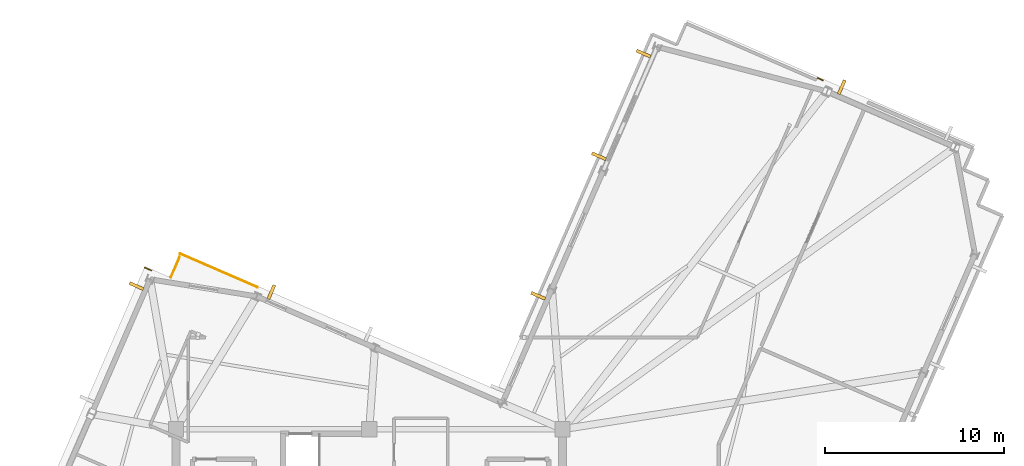
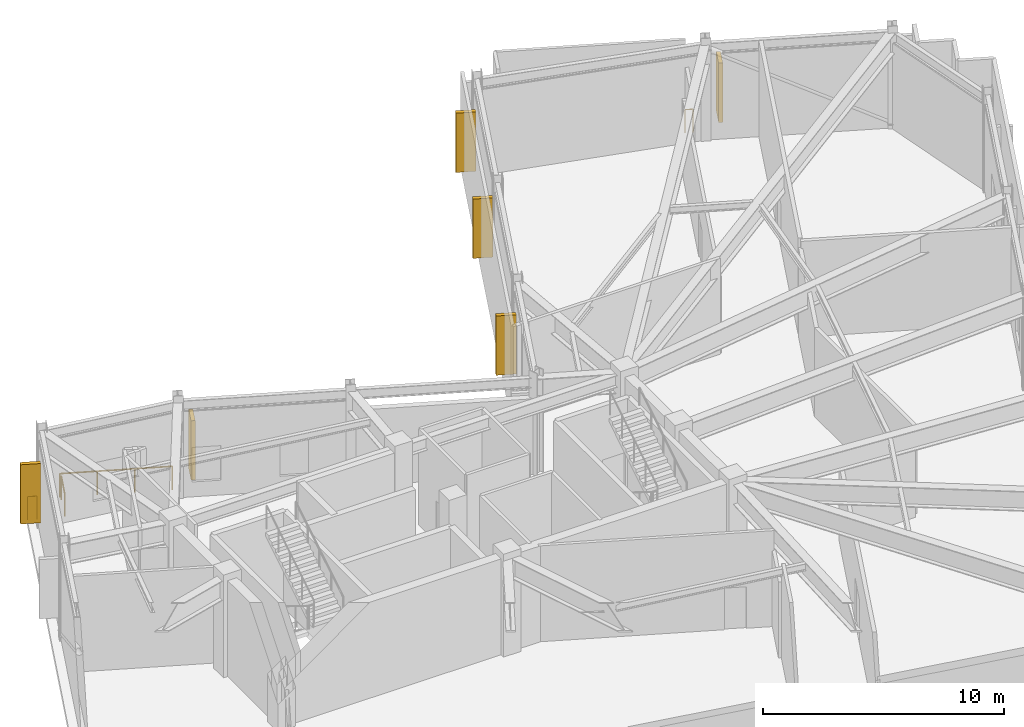
# One storey, part 11 of 12: 6 shading devices, 4 railings.
"""IFC4 building model written with IfcOpenShell, lengths in metres."""

from ifc_helpers import new_model, si_unit, direction, frame, origin, origin_2d, place, context, subcontext, project, spatial, rectangle, circle, extrude, material, layer, layer_set, type_object, element, save


model = new_model("IFC4")

# Units and contexts
model_context = context("Model", 3, precision=1e-05, world=origin(), true_north=direction((0.0, 1.0)))
body_context = subcontext(model_context, "Body", "Model", "MODEL_VIEW")
ifc_project = project(units=[si_unit("LENGTHUNIT", "METRE"), si_unit("AREAUNIT", "SQUARE_METRE"), si_unit("VOLUMEUNIT", "CUBIC_METRE"), si_unit("PLANEANGLEUNIT", "RADIAN"), si_unit("MASSUNIT", "GRAM", prefix="KILO")], contexts=[model_context])

# Site, building, storey
site_placement = place(None, origin())
site = spatial("IfcSite", under=ifc_project, at=site_placement, CompositionType="ELEMENT")
building_placement = place(site_placement, origin())
building = spatial("IfcBuilding", under=site, at=building_placement, Name="Gaonmaruhae Medical Tower", CompositionType="ELEMENT")
storey_placement = place(building_placement, frame((0.0, 0.0, 342.60009765625)))
storey = spatial("IfcBuildingStorey", under=building, at=storey_placement, Name="L82", CompositionType="ELEMENT", Elevation=342.60009765625)

# Railings
ifc_material_1 = material(Name="Stainless steel 316L and laminated safety glass", Category="steel")
ifc_layer = layer(ifc_material_1, 0.080078125)
ifc_layer_set = layer_set([ifc_layer], Name="Stainless steel 316L and laminated safety glass")
railing_type = type_object("IfcRailingType", Name="GD-120 Outdoor Terrace Safety Glass & Steel Balustrade", PredefinedType="BALUSTRADE", material=ifc_layer_set)
railing_1_placement = place(storey_placement, frame((50.146240234375, 36.284912109375, 0.0)))
element("IfcRailing", 1, at=railing_1_placement, inside=storey, type_object=railing_type, Name="L82 Perimeter Slab Edge Safety Balustrade 01", PredefinedType="BALUSTRADE", context=body_context, shape_type="SweptSolid", body=[
    extrude(circle(Radius=0.02392578125, at=origin_2d()), frame((0.0, 0.0, 1.17578125), z_axis=(-0.917081518132, 0.398699748056, 0.0), x_axis=(-0.398699748056, -0.917081518132, 0.0)), (0.0, 0.0, 1.0), 0.338623046875),
    extrude(circle(Radius=0.02099609375, at=origin_2d()), origin(), (0.0, 0.0, 1.0), 1.15185546875),
    extrude(circle(Radius=0.02099609375, at=origin_2d()), frame((-0.310546875, 0.135009765625, 0.0)), (0.0, 0.0, 1.0), 1.15185546875),
])
railing_2_placement = place(storey_placement, frame((18.54833984375, 24.7255859375, 0.0)))
element("IfcRailing", 2, at=railing_2_placement, inside=storey, type_object=railing_type, Name="L82 Perimeter Slab Edge Safety Balustrade 02", PredefinedType="BALUSTRADE", context=body_context, shape_type="SweptSolid", body=[
    extrude(circle(Radius=0.02392578125, at=origin_2d()), frame((0.0, 0.0, 1.17578125), z_axis=(-0.917052736108, 0.398765945382, 0.0), x_axis=(-0.398765945382, -0.917052736108, 0.0)), (0.0, 0.0, 1.0), 4.706298828125),
    extrude(circle(Radius=0.02099609375, at=origin_2d()), origin(), (0.0, 0.0, 1.0), 1.15185546875),
    extrude(circle(Radius=0.02099609375, at=origin_2d()), frame((-1.438720703125, 0.62548828125, 0.0)), (0.0, 0.0, 1.0), 1.15185546875),
    extrude(circle(Radius=0.02099609375, at=origin_2d()), frame((-2.877197265625, 1.251220703125, 0.0)), (0.0, 0.0, 1.0), 1.15185546875),
    extrude(circle(Radius=0.02099609375, at=origin_2d()), frame((-4.31591796875, 1.876708984375, 0.0)), (0.0, 0.0, 1.0), 1.15185546875),
])
railing_3_placement = place(storey_placement, frame((14.205078125, 26.414306640625, 0.0)))
element("IfcRailing", 3, at=railing_3_placement, inside=storey, type_object=railing_type, Name="L82 Perimeter Slab Edge Safety Balustrade 03", PredefinedType="BALUSTRADE", context=body_context, shape_type="SweptSolid", body=[
    extrude(circle(Radius=0.02392578125, at=origin_2d()), frame((0.0, 0.0, 1.17578125), z_axis=(-0.398646057119, -0.917104858314, 0.0), x_axis=(0.917104858314, -0.398646057119, 0.0)), (0.0, 0.0, 1.0), 1.226806640625),
    extrude(circle(Radius=0.02099609375, at=origin_2d()), origin(), (0.0, 0.0, 1.0), 1.15185546875),
    extrude(circle(Radius=0.02099609375, at=origin_2d()), frame((-0.489013671875, -1.125, 0.0)), (0.0, 0.0, 1.0), 1.15185546875),
])
railing_4_placement = place(storey_placement, frame((12.619384765625, 25.66796875, 0.0)))
element("IfcRailing", 4, at=railing_4_placement, inside=storey, type_object=railing_type, Name="L82 Perimeter Slab Edge Safety Balustrade 04", PredefinedType="BALUSTRADE", context=body_context, shape_type="SweptSolid", body=[
    extrude(circle(Radius=0.02392578125, at=origin_2d()), frame((0.0, 0.0, 1.17578125), z_axis=(-0.917208125769, 0.398408401045, 0.0), x_axis=(-0.398408401045, -0.917208125769, 0.0)), (0.0, 0.0, 1.0), 0.393310546875),
    extrude(circle(Radius=0.02099609375, at=origin_2d()), origin(), (0.0, 0.0, 1.0), 1.15185546875),
    extrude(circle(Radius=0.02099609375, at=origin_2d()), frame((-0.36083984375, 0.15673828125, 0.0)), (0.0, 0.0, 1.0), 1.15185546875),
])

# Shading devices
ifc_material_2 = material(Name="Pigmented coral precast concrete C45/55", Category="concrete")
shading_device_type = type_object("IfcShadingDeviceType", Name="SD-FIN1 Tower Vertical Coral Precast Shading Fin", PredefinedType="USERDEFINED", material=ifc_material_2)
for number, where, z_axis, x_axis, name in (
    (5, (51.18603515625, 35.903564453125, 0.66748046875), (0.0, 0.0, 1.0), (0.917060074385, -0.398749068925, 0.0), "L82 Vertical Coral Precast Shading Fin E01"),
    (6, (37.6279296875, 32.044677734375, 0.66748046875), (0.0, 0.0, 1.0), (0.398749068925, 0.917060074385, 0.0), "L82 Vertical Coral Precast Shading Fin E03"),
    (7, (40.1201171875, 37.7763671875, 0.66748046875), (0.0, 0.0, 1.0), (0.398749068925, 0.917060074385, 0.0), "L82 Vertical Coral Precast Shading Fin E03B"),
    (8, (34.238525390625, 24.249755859375, 0.66748046875), (0.0, 0.0, 1.0), (0.398749068925, 0.917060074385, 0.0), "L82 Vertical Coral Precast Shading Fin EN02B"),
    (9, (19.32958984375, 24.456787109375, 0.66748046875), (0.0, 0.0, 1.0), (0.91706703373, -0.398733063147, 0.0), "L82 Vertical Coral Precast Shading Fin NE01"),
    (10, (11.794189453125, 24.79443359375, 0.66748046875), (0.0, 0.0, 1.0), (0.398749068925, 0.917060074385, 0.0), "L82 Vertical Coral Precast Shading Fin N01B"),
):
    element("IfcShadingDevice", number, at=place(storey_placement, frame(where, z_axis=z_axis, x_axis=x_axis)), inside=storey, type_object=shading_device_type, Name=name, ObjectType="FIN", PredefinedType="USERDEFINED", context=body_context, shape_type="SweptSolid", body=[
        extrude(rectangle(XDim=0.179931640625, YDim=0.85009765625, at=origin_2d()), origin(), (0.0, 0.0, 1.0), 3.0),
    ])

save(model, "model.ifc")
